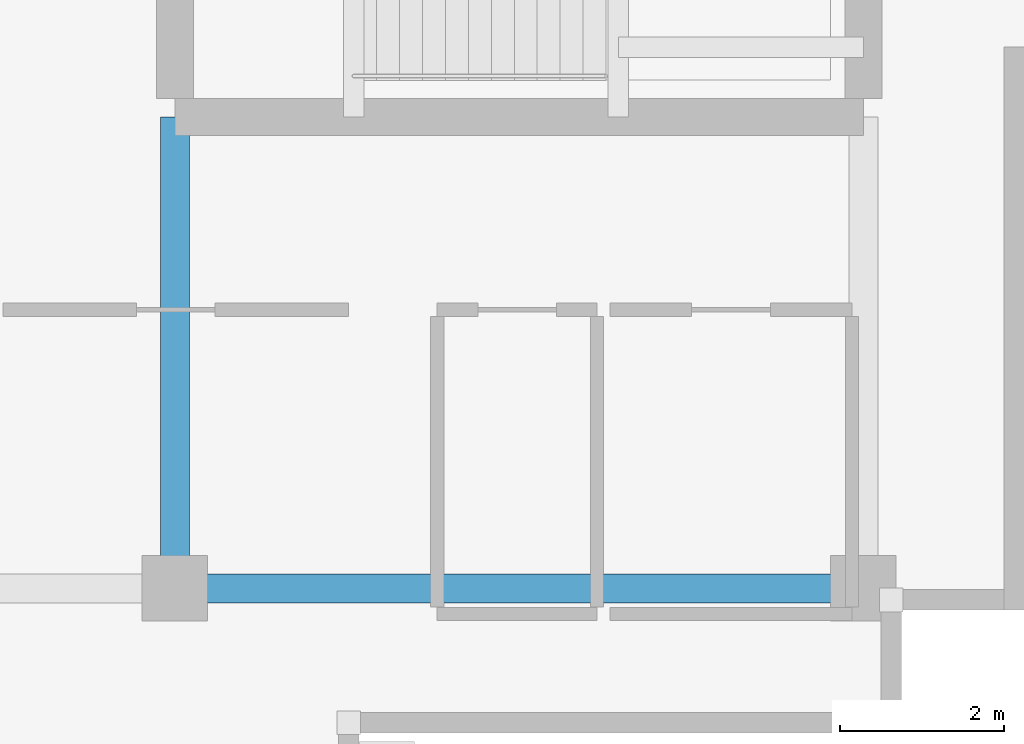
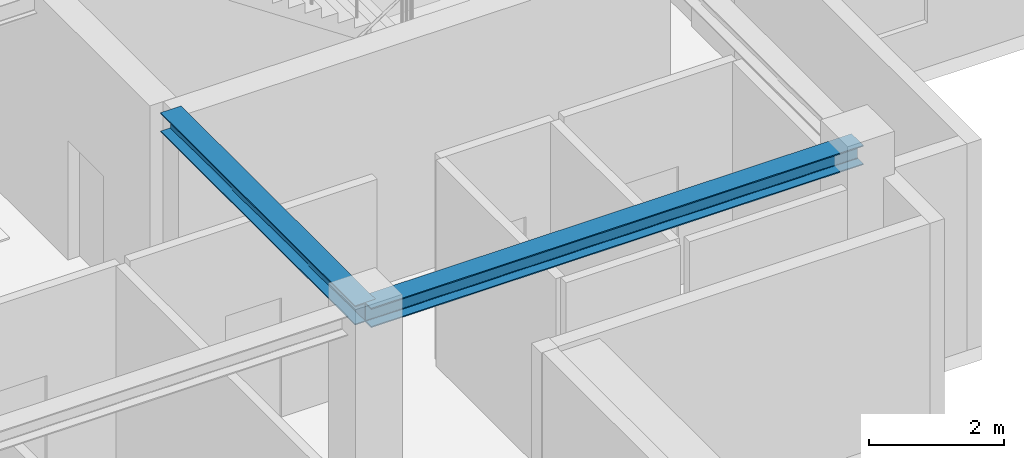
# One storey, part 3 of 16: 2 beams.
"""IFC4 building model written with IfcOpenShell, lengths in metres."""

from ifc_helpers import new_model, si_unit, direction, frame, origin, origin_2d, place, context, subcontext, project, spatial, i_section, extrude, material, material_profile, profile_set, type_object, element, save


model = new_model("IFC4")

# Units and contexts
model_context = context("Model", 3, precision=1e-05, world=origin(), true_north=direction((0.0, 1.0)))
body_context = subcontext(model_context, "Body", "Model", "MODEL_VIEW")
ifc_project = project(units=[si_unit("LENGTHUNIT", "METRE"), si_unit("AREAUNIT", "SQUARE_METRE"), si_unit("VOLUMEUNIT", "CUBIC_METRE"), si_unit("PLANEANGLEUNIT", "RADIAN"), si_unit("MASSUNIT", "GRAM", prefix="KILO")], contexts=[model_context])

# Site, building, storey
site_placement = place(None, origin())
site = spatial("IfcSite", under=ifc_project, at=site_placement, CompositionType="ELEMENT")
building_placement = place(site_placement, origin())
building = spatial("IfcBuilding", under=site, at=building_placement, Name="Qingluan Cross Belvedere", CompositionType="ELEMENT")
storey_placement = place(building_placement, frame((0.0, 0.0, 308.39990234375)))
storey = spatial("IfcBuildingStorey", under=building, at=storey_placement, Name="L76", CompositionType="ELEMENT", Elevation=308.39990234375)

# Beams
ifc_material = material(Name="Steel Q420GJB", Category="steel")
ifc_material_profile = material_profile(ifc_material, i_section(OverallWidth=0.35009765625, OverallDepth=0.35009765625, WebThickness=0.011962890625, FlangeThickness=0.01904296875, FilletRadius=0.02001953125, at=origin_2d()), Name="HW350x350x12x19")
ifc_profile_set = profile_set([ifc_material_profile], Name="Steel Q420GJB")
beam_type = type_object("IfcBeamType", Name="Steel_Girder_HW350x350x12x19", PredefinedType="USERDEFINED", material=ifc_profile_set)
beam_1_placement = place(storey_placement, frame((4.0, -12.60009765625, 4.0751953125), z_axis=(1.0, 0.0, 0.0), x_axis=(0.0, 1.0, 0.0)))
element("IfcBeam", 1, at=beam_1_placement, inside=storey, type_object=beam_type, Name="Hub girder L76-HG-S3", ObjectType="GIRDER", PredefinedType="USERDEFINED", context=body_context, shape_type="SweptSolid", body=[
    extrude(i_section(OverallWidth=0.35009765625, OverallDepth=0.35009765625, WebThickness=0.011962890625, FlangeThickness=0.01904296875, FilletRadius=0.02001953125, at=origin_2d()), origin(), (0.0, 0.0, 1.0), 8.39990234375),
])
beam_2_placement = place(storey_placement, frame((4.0, -12.60009765625, 4.0751953125), z_axis=(0.0, 1.0, 0.0), x_axis=(-1.0, 0.0, 0.0)))
element("IfcBeam", 2, at=beam_2_placement, inside=storey, type_object=beam_type, Name="Hub girder L76-HG-CE", ObjectType="GIRDER", PredefinedType="USERDEFINED", context=body_context, shape_type="SweptSolid", body=[
    extrude(i_section(OverallWidth=0.35009765625, OverallDepth=0.35009765625, WebThickness=0.011962890625, FlangeThickness=0.01904296875, FilletRadius=0.02001953125, at=origin_2d()), origin(), (0.0, 0.0, 1.0), 5.75),
])

save(model, "model.ifc")
